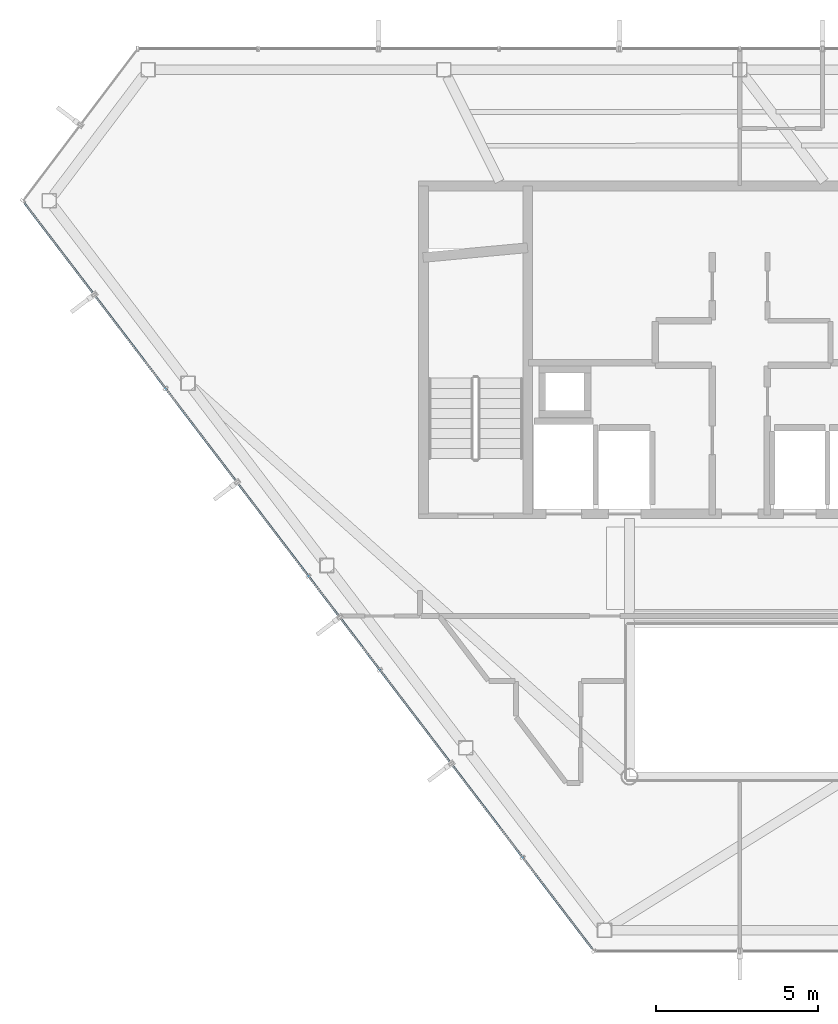
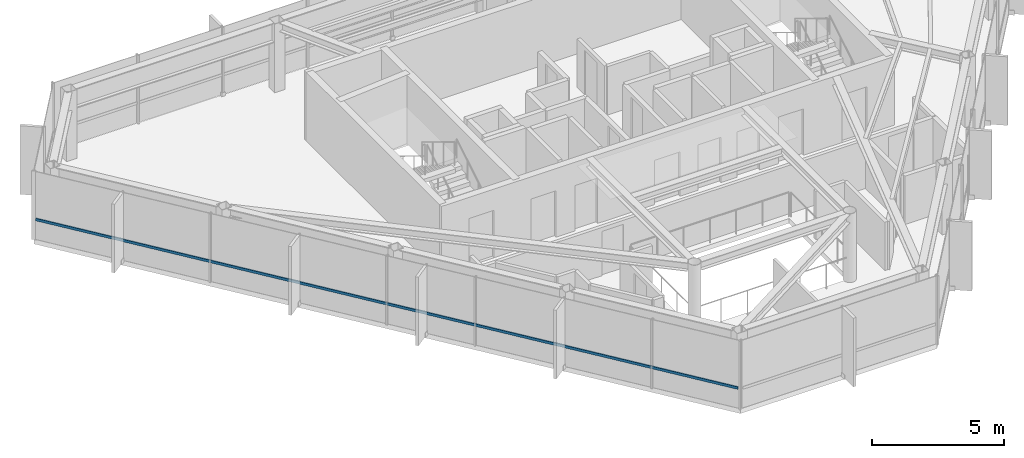
# One storey, part 6 of 23: 1 member, 1 element without a shape of its own.
"""IFC4 building model written with IfcOpenShell, lengths in metres."""

from ifc_helpers import new_model, si_unit, direction, frame, origin, origin_2d, place, context, subcontext, project, spatial, hollow_rectangle, extrude, material, layer, layer_set, material_profile, profile_set, type_object, element, aggregate, save


model = new_model("IFC4")

# Units and contexts
model_context = context("Model", 3, precision=1e-05, world=origin(), true_north=direction((0.0, 1.0)))
body_context = subcontext(model_context, "Body", "Model", "MODEL_VIEW")
ifc_project = project(units=[si_unit("LENGTHUNIT", "METRE"), si_unit("AREAUNIT", "SQUARE_METRE"), si_unit("VOLUMEUNIT", "CUBIC_METRE"), si_unit("PLANEANGLEUNIT", "RADIAN"), si_unit("MASSUNIT", "GRAM", prefix="KILO")], contexts=[model_context])

# Site, building, storey
site_placement = place(None, origin())
site = spatial("IfcSite", under=ifc_project, at=site_placement, CompositionType="ELEMENT")
building_placement = place(site_placement, origin())
building = spatial("IfcBuilding", under=site, at=building_placement, Name="Zarrinselat Tower", CompositionType="ELEMENT")
storey_placement = place(building_placement, frame((0.0, 0.0, 282.199951171875)))
storey = spatial("IfcBuildingStorey", under=building, at=storey_placement, Name="L72", CompositionType="ELEMENT", Elevation=282.199951171875)

# Curtain wall, member
ifc_material_1 = material(Name="Extruded Aluminium Alloy EN AW-6063 T6", Category="aluminium")
ifc_layer = layer(ifc_material_1, 0.169921875)
ifc_layer_set = layer_set([ifc_layer], Name="Extruded Aluminium Alloy EN AW-6063 T6")
curtain_wall_type = type_object("IfcCurtainWallType", Name="CWS-RES", PredefinedType="NOTDEFINED", material=ifc_layer_set)
curtain_wall_placement = place(storey_placement, origin())
curtain_wall = element("IfcCurtainWall", 1, at=curtain_wall_placement, inside=storey, type_object=curtain_wall_type, Name="L72 Unitised Curtain Wall CW-L72-E03", PredefinedType="NOTDEFINED")
ifc_material_2 = material(Name="Extruded Aluminium Alloy EN AW-6063 T6", Category="aluminium")
ifc_material_profile = material_profile(ifc_material_2, hollow_rectangle(XDim=0.06005859375, YDim=0.1201171875, WallThickness=0.00390625, at=origin_2d()), Name="RHS 120x60x4")
ifc_profile_set = profile_set([ifc_material_profile], Name="Extruded Aluminium Alloy EN AW-6063 T6")
member_type = type_object("IfcMemberType", Name="MEM-CW-TRN2", PredefinedType="USERDEFINED", material=ifc_profile_set)
member_placement = place(storey_placement, frame((16.358154296875, 42.872314453125, 0.949951171875), z_axis=(0.605768400297, -0.795641027852, 0.0), x_axis=(0.795641027852, 0.605768400297, 0.0)))
member = element("IfcMember", 2, at=member_placement, type_object=member_type, Name="CW-L72-E03 Transom 1", ObjectType="TRANSOM", PredefinedType="USERDEFINED", context=body_context, shape_type="SweptSolid", body=[
    extrude(hollow_rectangle(XDim=0.06005859375, YDim=0.1201171875, WallThickness=0.00390625, at=origin_2d()), origin(), (0.0, 0.0, 1.0), 28.884521484375),
])
aggregate(curtain_wall, [member])

save(model, "model.ifc")
